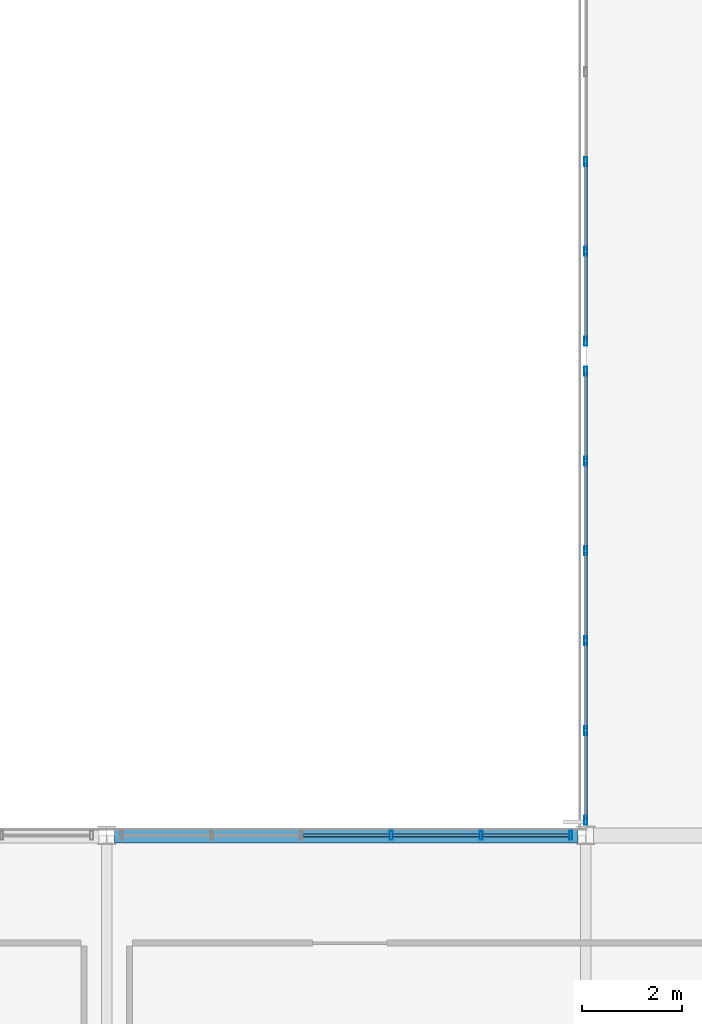
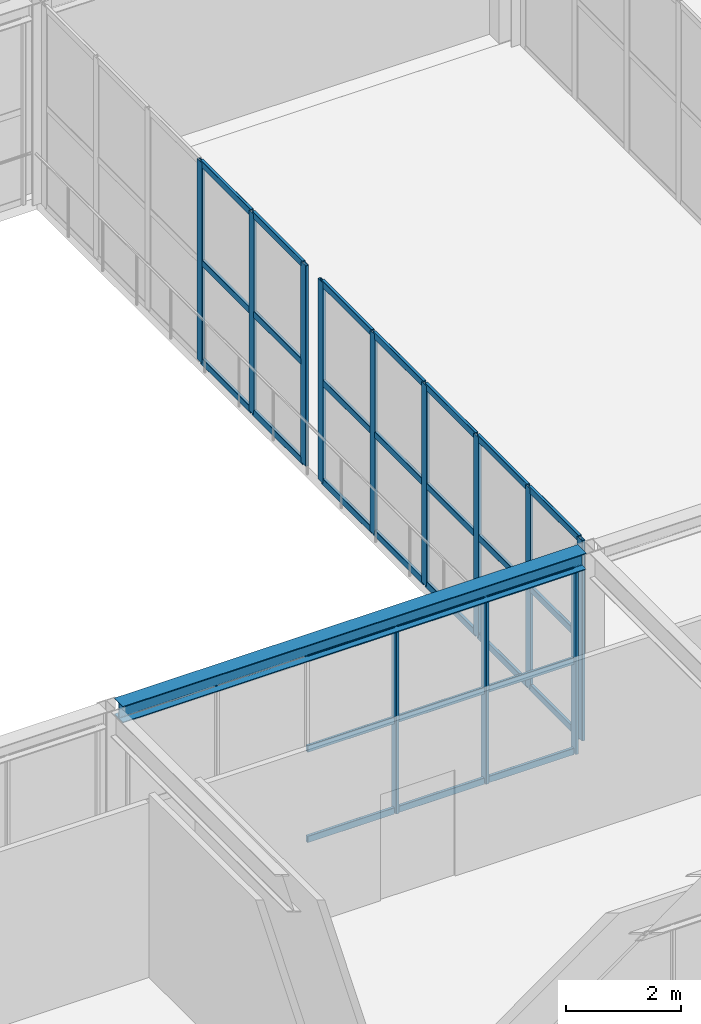
# One storey, part 79 of 170: 42 members, 1 beam, 3 elements without a shape of their own.
"""IFC4 building model written with IfcOpenShell, lengths in metres."""

from ifc_helpers import new_model, si_unit, direction, frame, origin, origin_2d, place, context, subcontext, project, spatial, hollow_rectangle, i_section, extrude, material, material_profile, profile_set, type_object, element, aggregate, save


model = new_model("IFC4")

# Units and contexts
model_context = context("Model", 3, precision=1e-05, world=origin(), true_north=direction((0.0, 1.0)))
body_context = subcontext(model_context, "Body", "Model", "MODEL_VIEW")
ifc_project = project(units=[si_unit("LENGTHUNIT", "METRE"), si_unit("AREAUNIT", "SQUARE_METRE"), si_unit("VOLUMEUNIT", "CUBIC_METRE"), si_unit("PLANEANGLEUNIT", "RADIAN"), si_unit("MASSUNIT", "GRAM", prefix="KILO")], contexts=[model_context])

# Site, building, storey
site_placement = place(None, origin())
site = spatial("IfcSite", under=ifc_project, at=site_placement, CompositionType="ELEMENT")
building_placement = place(site_placement, origin())
building = spatial("IfcBuilding", under=site, at=building_placement, Name="Coralgate Yard Interchange", CompositionType="ELEMENT")
storey_placement = place(building_placement, frame((0.0, 0.0, 6.0)))
storey = spatial("IfcBuildingStorey", under=building, at=storey_placement, Name="L01", CompositionType="ELEMENT", Elevation=6.0)

# Beam
ifc_material_1 = material(Name="Structural steel S355J2", Category="steel")
ifc_material_profile_1 = material_profile(ifc_material_1, i_section(OverallWidth=0.300048828125, OverallDepth=0.35009765625, WebThickness=0.010009765625, FlangeThickness=0.017578125, FilletRadius=0.027099609375, at=origin_2d()), Name="HEA 360")
ifc_profile_set_1 = profile_set([ifc_material_profile_1], Name="Structural steel S355J2")
beam_type = type_object("IfcBeamType", Name="BM-SP-1", PredefinedType="SPANDREL", material=ifc_profile_set_1)
beam_placement = place(storey_placement, frame((115.356201171875, 48.0, 4.074951171875), z_axis=(1.0, 0.0, 0.0), x_axis=(0.0, 1.0, 0.0)))
element("IfcBeam", 1, at=beam_placement, inside=storey, type_object=beam_type, Name="L01 primary grid beam Y5 X12-13", PredefinedType="SPANDREL", context=body_context, shape_type="SweptSolid", body=[
    extrude(i_section(OverallWidth=0.300048828125, OverallDepth=0.35009765625, WebThickness=0.010009765625, FlangeThickness=0.017578125, FilletRadius=0.027099609375, at=origin_2d()), origin(), (0.0, 0.0, 1.0), 9.28759765625),
])

# Curtain wall, members
ifc_material_2 = material(Name="Anodised coastal aluminium and solar-control low-E glass", Category="aluminium")
curtain_wall_type_1 = type_object("IfcCurtainWallType", Name="CW-CW-L01-B", PredefinedType="NOTDEFINED", material=ifc_material_2)
curtain_wall_1_placement = place(storey_placement, origin())
curtain_wall_1 = element("IfcCurtainWall", 2, at=curtain_wall_1_placement, inside=storey, type_object=curtain_wall_type_1, Name="L01 unitised curtain wall CW-L01-N-12-04", PredefinedType="NOTDEFINED")
ifc_material_3 = material(Name="Anodised coastal aluminium 6063-T6", Category="aluminium")
ifc_material_profile_2 = material_profile(ifc_material_3, hollow_rectangle(XDim=0.06005859375, YDim=0.179931640625, WallThickness=0.00390625, InnerFilletRadius=0.00390625, OuterFilletRadius=0.008056640625, at=origin_2d()), Name="ALU 60x180x4")
ifc_profile_set_2 = profile_set([ifc_material_profile_2], Name="Anodised coastal aluminium 6063-T6")
member_type_1 = type_object("IfcMemberType", Name="MB-MUL-180", PredefinedType="MULLION", material=ifc_profile_set_2)
member_1_placement = place(storey_placement, frame((120.89990234375, 48.0, 0.0), z_axis=(0.0, 0.0, 1.0), x_axis=(1.0, 0.0, 0.0)))
member_1 = element("IfcMember", 3, at=member_1_placement, type_object=member_type_1, Name="CW-L01-N-12-04 vertical mullion 4", PredefinedType="MULLION", context=body_context, shape_type="SweptSolid", body=[
    extrude(hollow_rectangle(XDim=0.06005859375, YDim=0.179931640625, WallThickness=0.00390625, InnerFilletRadius=0.00390625, OuterFilletRadius=0.008056640625, at=origin_2d()), origin(), (0.0, 0.0, 1.0), 3.89990234375),
])
member_2_placement = place(storey_placement, frame((122.699951171875, 48.0, 0.0), z_axis=(0.0, 0.0, 1.0), x_axis=(1.0, 0.0, 0.0)))
member_2 = element("IfcMember", 4, at=member_2_placement, type_object=member_type_1, Name="CW-L01-N-12-04 vertical mullion 5", PredefinedType="MULLION", context=body_context, shape_type="SweptSolid", body=[
    extrude(hollow_rectangle(XDim=0.06005859375, YDim=0.179931640625, WallThickness=0.00390625, InnerFilletRadius=0.00390625, OuterFilletRadius=0.008056640625, at=origin_2d()), origin(), (0.0, 0.0, 1.0), 3.89990234375),
])
member_3_placement = place(storey_placement, frame((124.5, 48.0, 0.0), z_axis=(0.0, 0.0, 1.0), x_axis=(1.0, 0.0, 0.0)))
member_3 = element("IfcMember", 5, at=member_3_placement, type_object=member_type_1, Name="CW-L01-N-12-04 vertical mullion 6", PredefinedType="MULLION", context=body_context, shape_type="SweptSolid", body=[
    extrude(hollow_rectangle(XDim=0.06005859375, YDim=0.179931640625, WallThickness=0.00390625, InnerFilletRadius=0.00390625, OuterFilletRadius=0.008056640625, at=origin_2d()), origin(), (0.0, 0.0, 1.0), 3.89990234375),
])

curtain_wall_type_2 = type_object("IfcCurtainWallType", Name="CW-CW-L01-A", PredefinedType="NOTDEFINED", material=ifc_material_2)
curtain_wall_2_placement = place(storey_placement, origin())
curtain_wall_2 = element("IfcCurtainWall", 6, at=curtain_wall_2_placement, inside=storey, type_object=curtain_wall_type_2, Name="L01 unitised curtain wall CW-L01-W-13-05", PredefinedType="NOTDEFINED")
member_4_placement = place(storey_placement, frame((124.800048828125, 48.300048828125, 0.0), z_axis=(0.0, 0.0, 1.0), x_axis=(1.0, 0.0, 0.0)))
member_4 = element("IfcMember", 7, at=member_4_placement, type_object=member_type_1, Name="CW-L01-W-13-05 vertical mullion 1", PredefinedType="MULLION", context=body_context, shape_type="SweptSolid", body=[
    extrude(hollow_rectangle(XDim=0.06005859375, YDim=0.179931640625, WallThickness=0.00390625, InnerFilletRadius=0.00390625, OuterFilletRadius=0.008056640625, at=origin_2d()), origin(), (0.0, 0.0, 1.0), 4.25),
])
member_5_placement = place(storey_placement, frame((124.800048828125, 50.10009765625, 0.0), z_axis=(0.0, 0.0, 1.0), x_axis=(1.0, 0.0, 0.0)))
member_5 = element("IfcMember", 8, at=member_5_placement, type_object=member_type_1, Name="CW-L01-W-13-05 vertical mullion 2", PredefinedType="MULLION", context=body_context, shape_type="SweptSolid", body=[
    extrude(hollow_rectangle(XDim=0.06005859375, YDim=0.179931640625, WallThickness=0.00390625, InnerFilletRadius=0.00390625, OuterFilletRadius=0.008056640625, at=origin_2d()), origin(), (0.0, 0.0, 1.0), 4.25),
])
member_6_placement = place(storey_placement, frame((124.800048828125, 51.89990234375, 0.0), z_axis=(0.0, 0.0, 1.0), x_axis=(1.0, 0.0, 0.0)))
member_6 = element("IfcMember", 9, at=member_6_placement, type_object=member_type_1, Name="CW-L01-W-13-05 vertical mullion 3", PredefinedType="MULLION", context=body_context, shape_type="SweptSolid", body=[
    extrude(hollow_rectangle(XDim=0.06005859375, YDim=0.179931640625, WallThickness=0.00390625, InnerFilletRadius=0.00390625, OuterFilletRadius=0.008056640625, at=origin_2d()), origin(), (0.0, 0.0, 1.0), 4.25),
])
member_7_placement = place(storey_placement, frame((124.800048828125, 53.699951171875, 0.0), z_axis=(0.0, 0.0, 1.0), x_axis=(1.0, 0.0, 0.0)))
member_7 = element("IfcMember", 10, at=member_7_placement, type_object=member_type_1, Name="CW-L01-W-13-05 vertical mullion 4", PredefinedType="MULLION", context=body_context, shape_type="SweptSolid", body=[
    extrude(hollow_rectangle(XDim=0.06005859375, YDim=0.179931640625, WallThickness=0.00390625, InnerFilletRadius=0.00390625, OuterFilletRadius=0.008056640625, at=origin_2d()), origin(), (0.0, 0.0, 1.0), 4.25),
])
member_8_placement = place(storey_placement, frame((124.800048828125, 55.5, 0.0), z_axis=(0.0, 0.0, 1.0), x_axis=(1.0, 0.0, 0.0)))
member_8 = element("IfcMember", 11, at=member_8_placement, type_object=member_type_1, Name="CW-L01-W-13-05 vertical mullion 5", PredefinedType="MULLION", context=body_context, shape_type="SweptSolid", body=[
    extrude(hollow_rectangle(XDim=0.06005859375, YDim=0.179931640625, WallThickness=0.00390625, InnerFilletRadius=0.00390625, OuterFilletRadius=0.008056640625, at=origin_2d()), origin(), (0.0, 0.0, 1.0), 4.25),
])
member_9_placement = place(storey_placement, frame((124.800048828125, 57.300048828125, 0.0), z_axis=(0.0, 0.0, 1.0), x_axis=(1.0, 0.0, 0.0)))
member_9 = element("IfcMember", 12, at=member_9_placement, type_object=member_type_1, Name="CW-L01-W-13-05 vertical mullion 6", PredefinedType="MULLION", context=body_context, shape_type="SweptSolid", body=[
    extrude(hollow_rectangle(XDim=0.06005859375, YDim=0.179931640625, WallThickness=0.00390625, InnerFilletRadius=0.00390625, OuterFilletRadius=0.008056640625, at=origin_2d()), origin(), (0.0, 0.0, 1.0), 4.25),
])

curtain_wall_3_placement = place(storey_placement, origin())
curtain_wall_3 = element("IfcCurtainWall", 13, at=curtain_wall_3_placement, inside=storey, type_object=curtain_wall_type_2, Name="L01 unitised curtain wall CW-L01-W-13-06", PredefinedType="NOTDEFINED")
member_10_placement = place(storey_placement, frame((124.800048828125, 57.89990234375, 0.0), z_axis=(0.0, 0.0, 1.0), x_axis=(1.0, 0.0, 0.0)))
member_10 = element("IfcMember", 14, at=member_10_placement, type_object=member_type_1, Name="CW-L01-W-13-06 vertical mullion 1", PredefinedType="MULLION", context=body_context, shape_type="SweptSolid", body=[
    extrude(hollow_rectangle(XDim=0.06005859375, YDim=0.179931640625, WallThickness=0.00390625, InnerFilletRadius=0.00390625, OuterFilletRadius=0.008056640625, at=origin_2d()), origin(), (0.0, 0.0, 1.0), 4.25),
])
member_11_placement = place(storey_placement, frame((124.800048828125, 59.699951171875, 0.0), z_axis=(0.0, 0.0, 1.0), x_axis=(1.0, 0.0, 0.0)))
member_11 = element("IfcMember", 15, at=member_11_placement, type_object=member_type_1, Name="CW-L01-W-13-06 vertical mullion 2", PredefinedType="MULLION", context=body_context, shape_type="SweptSolid", body=[
    extrude(hollow_rectangle(XDim=0.06005859375, YDim=0.179931640625, WallThickness=0.00390625, InnerFilletRadius=0.00390625, OuterFilletRadius=0.008056640625, at=origin_2d()), origin(), (0.0, 0.0, 1.0), 4.25),
])
member_12_placement = place(storey_placement, frame((124.800048828125, 61.5, 0.0), z_axis=(0.0, 0.0, 1.0), x_axis=(1.0, 0.0, 0.0)))
member_12 = element("IfcMember", 16, at=member_12_placement, type_object=member_type_1, Name="CW-L01-W-13-06 vertical mullion 3", PredefinedType="MULLION", context=body_context, shape_type="SweptSolid", body=[
    extrude(hollow_rectangle(XDim=0.06005859375, YDim=0.179931640625, WallThickness=0.00390625, InnerFilletRadius=0.00390625, OuterFilletRadius=0.008056640625, at=origin_2d()), origin(), (0.0, 0.0, 1.0), 4.25),
])

# Member
ifc_material_profile_3 = material_profile(ifc_material_3, hollow_rectangle(XDim=0.06005859375, YDim=0.139892578125, WallThickness=0.00341796875, InnerFilletRadius=0.00341796875, OuterFilletRadius=0.007080078125, at=origin_2d()), Name="ALU 60x140x3.5")
ifc_profile_set_3 = profile_set([ifc_material_profile_3], Name="Anodised coastal aluminium 6063-T6")
member_type_2 = type_object("IfcMemberType", Name="MB-TRN-140", PredefinedType="USERDEFINED", material=ifc_profile_set_3)
member_13_placement = place(storey_placement, frame((119.1298828125, 48.0, 0.034912109375), z_axis=(1.0, 0.0, 0.0), x_axis=(0.0, 1.0, 0.0)))
member_13 = element("IfcMember", 17, at=member_13_placement, type_object=member_type_2, Name="CW-L01-N-12-04 horizontal transom 3-1", ObjectType="TRANSOM", PredefinedType="USERDEFINED", context=body_context, shape_type="SweptSolid", body=[
    extrude(hollow_rectangle(XDim=0.06005859375, YDim=0.139892578125, WallThickness=0.00341796875, InnerFilletRadius=0.00341796875, OuterFilletRadius=0.007080078125, at=origin_2d()), origin(), (0.0, 0.0, 1.0), 1.740234375),
])

member_14_placement = place(storey_placement, frame((119.1298828125, 48.0, 1.949951171875), z_axis=(1.0, 0.0, 0.0), x_axis=(0.0, 1.0, 0.0)))
member_14 = element("IfcMember", 18, at=member_14_placement, type_object=member_type_2, Name="CW-L01-N-12-04 horizontal transom 3-2", ObjectType="TRANSOM", PredefinedType="USERDEFINED", context=body_context, shape_type="SweptSolid", body=[
    extrude(hollow_rectangle(XDim=0.06005859375, YDim=0.139892578125, WallThickness=0.00341796875, InnerFilletRadius=0.00341796875, OuterFilletRadius=0.007080078125, at=origin_2d()), origin(), (0.0, 0.0, 1.0), 1.740234375),
])

member_15_placement = place(storey_placement, frame((119.1298828125, 48.0, 3.864990234375), z_axis=(1.0, 0.0, 0.0), x_axis=(0.0, 1.0, 0.0)))
member_15 = element("IfcMember", 19, at=member_15_placement, type_object=member_type_2, Name="CW-L01-N-12-04 horizontal transom 3-3", ObjectType="TRANSOM", PredefinedType="USERDEFINED", context=body_context, shape_type="SweptSolid", body=[
    extrude(hollow_rectangle(XDim=0.06005859375, YDim=0.139892578125, WallThickness=0.00341796875, InnerFilletRadius=0.00341796875, OuterFilletRadius=0.007080078125, at=origin_2d()), origin(), (0.0, 0.0, 1.0), 1.740234375),
])

member_16_placement = place(storey_placement, frame((120.929931640625, 48.0, 0.034912109375), z_axis=(1.0, 0.0, 0.0), x_axis=(0.0, 1.0, 0.0)))
member_16 = element("IfcMember", 20, at=member_16_placement, type_object=member_type_2, Name="CW-L01-N-12-04 horizontal transom 4-1", ObjectType="TRANSOM", PredefinedType="USERDEFINED", context=body_context, shape_type="SweptSolid", body=[
    extrude(hollow_rectangle(XDim=0.06005859375, YDim=0.139892578125, WallThickness=0.00341796875, InnerFilletRadius=0.00341796875, OuterFilletRadius=0.007080078125, at=origin_2d()), origin(), (0.0, 0.0, 1.0), 1.739990234375),
])

member_17_placement = place(storey_placement, frame((120.929931640625, 48.0, 1.949951171875), z_axis=(1.0, 0.0, 0.0), x_axis=(0.0, 1.0, 0.0)))
member_17 = element("IfcMember", 21, at=member_17_placement, type_object=member_type_2, Name="CW-L01-N-12-04 horizontal transom 4-2", ObjectType="TRANSOM", PredefinedType="USERDEFINED", context=body_context, shape_type="SweptSolid", body=[
    extrude(hollow_rectangle(XDim=0.06005859375, YDim=0.139892578125, WallThickness=0.00341796875, InnerFilletRadius=0.00341796875, OuterFilletRadius=0.007080078125, at=origin_2d()), origin(), (0.0, 0.0, 1.0), 1.739990234375),
])

member_18_placement = place(storey_placement, frame((120.929931640625, 48.0, 3.864990234375), z_axis=(1.0, 0.0, 0.0), x_axis=(0.0, 1.0, 0.0)))
member_18 = element("IfcMember", 22, at=member_18_placement, type_object=member_type_2, Name="CW-L01-N-12-04 horizontal transom 4-3", ObjectType="TRANSOM", PredefinedType="USERDEFINED", context=body_context, shape_type="SweptSolid", body=[
    extrude(hollow_rectangle(XDim=0.06005859375, YDim=0.139892578125, WallThickness=0.00341796875, InnerFilletRadius=0.00341796875, OuterFilletRadius=0.007080078125, at=origin_2d()), origin(), (0.0, 0.0, 1.0), 1.739990234375),
])

member_19_placement = place(storey_placement, frame((122.72998046875, 48.0, 0.034912109375), z_axis=(1.0, 0.0, 0.0), x_axis=(0.0, 1.0, 0.0)))
member_19 = element("IfcMember", 23, at=member_19_placement, type_object=member_type_2, Name="CW-L01-N-12-04 horizontal transom 5-1", ObjectType="TRANSOM", PredefinedType="USERDEFINED", context=body_context, shape_type="SweptSolid", body=[
    extrude(hollow_rectangle(XDim=0.06005859375, YDim=0.139892578125, WallThickness=0.00341796875, InnerFilletRadius=0.00341796875, OuterFilletRadius=0.007080078125, at=origin_2d()), origin(), (0.0, 0.0, 1.0), 1.739990234375),
])

member_20_placement = place(storey_placement, frame((122.72998046875, 48.0, 1.949951171875), z_axis=(1.0, 0.0, 0.0), x_axis=(0.0, 1.0, 0.0)))
member_20 = element("IfcMember", 24, at=member_20_placement, type_object=member_type_2, Name="CW-L01-N-12-04 horizontal transom 5-2", ObjectType="TRANSOM", PredefinedType="USERDEFINED", context=body_context, shape_type="SweptSolid", body=[
    extrude(hollow_rectangle(XDim=0.06005859375, YDim=0.139892578125, WallThickness=0.00341796875, InnerFilletRadius=0.00341796875, OuterFilletRadius=0.007080078125, at=origin_2d()), origin(), (0.0, 0.0, 1.0), 1.739990234375),
])

member_21_placement = place(storey_placement, frame((122.72998046875, 48.0, 3.864990234375), z_axis=(1.0, 0.0, 0.0), x_axis=(0.0, 1.0, 0.0)))
member_21 = element("IfcMember", 25, at=member_21_placement, type_object=member_type_2, Name="CW-L01-N-12-04 horizontal transom 5-3", ObjectType="TRANSOM", PredefinedType="USERDEFINED", context=body_context, shape_type="SweptSolid", body=[
    extrude(hollow_rectangle(XDim=0.06005859375, YDim=0.139892578125, WallThickness=0.00341796875, InnerFilletRadius=0.00341796875, OuterFilletRadius=0.007080078125, at=origin_2d()), origin(), (0.0, 0.0, 1.0), 1.739990234375),
])

aggregate(curtain_wall_1, [member_1, member_2, member_3, member_13, member_14, member_15, member_16, member_17, member_18, member_19, member_20, member_21])

member_22_placement = place(storey_placement, frame((124.800048828125, 48.330078125, 0.034912109375), z_axis=(0.0, 1.0, 0.0), x_axis=(-1.0, 0.0, 0.0)))
member_22 = element("IfcMember", 26, at=member_22_placement, type_object=member_type_2, Name="CW-L01-W-13-05 horizontal transom 1-1", ObjectType="TRANSOM", PredefinedType="USERDEFINED", context=body_context, shape_type="SweptSolid", body=[
    extrude(hollow_rectangle(XDim=0.06005859375, YDim=0.139892578125, WallThickness=0.00341796875, InnerFilletRadius=0.00341796875, OuterFilletRadius=0.007080078125, at=origin_2d()), origin(), (0.0, 0.0, 1.0), 1.739990234375),
])

member_23_placement = place(storey_placement, frame((124.800048828125, 48.330078125, 2.125), z_axis=(0.0, 1.0, 0.0), x_axis=(-1.0, 0.0, 0.0)))
member_23 = element("IfcMember", 27, at=member_23_placement, type_object=member_type_2, Name="CW-L01-W-13-05 horizontal transom 1-2", ObjectType="TRANSOM", PredefinedType="USERDEFINED", context=body_context, shape_type="SweptSolid", body=[
    extrude(hollow_rectangle(XDim=0.06005859375, YDim=0.139892578125, WallThickness=0.00341796875, InnerFilletRadius=0.00341796875, OuterFilletRadius=0.007080078125, at=origin_2d()), origin(), (0.0, 0.0, 1.0), 1.739990234375),
])

member_24_placement = place(storey_placement, frame((124.800048828125, 48.330078125, 4.215087890625), z_axis=(0.0, 1.0, 0.0), x_axis=(-1.0, 0.0, 0.0)))
member_24 = element("IfcMember", 28, at=member_24_placement, type_object=member_type_2, Name="CW-L01-W-13-05 horizontal transom 1-3", ObjectType="TRANSOM", PredefinedType="USERDEFINED", context=body_context, shape_type="SweptSolid", body=[
    extrude(hollow_rectangle(XDim=0.06005859375, YDim=0.139892578125, WallThickness=0.00341796875, InnerFilletRadius=0.00341796875, OuterFilletRadius=0.007080078125, at=origin_2d()), origin(), (0.0, 0.0, 1.0), 1.739990234375),
])

member_25_placement = place(storey_placement, frame((124.800048828125, 50.1298828125, 0.034912109375), z_axis=(0.0, 1.0, 0.0), x_axis=(-1.0, 0.0, 0.0)))
member_25 = element("IfcMember", 29, at=member_25_placement, type_object=member_type_2, Name="CW-L01-W-13-05 horizontal transom 2-1", ObjectType="TRANSOM", PredefinedType="USERDEFINED", context=body_context, shape_type="SweptSolid", body=[
    extrude(hollow_rectangle(XDim=0.06005859375, YDim=0.139892578125, WallThickness=0.00341796875, InnerFilletRadius=0.00341796875, OuterFilletRadius=0.007080078125, at=origin_2d()), origin(), (0.0, 0.0, 1.0), 1.740234375),
])

member_26_placement = place(storey_placement, frame((124.800048828125, 50.1298828125, 2.125), z_axis=(0.0, 1.0, 0.0), x_axis=(-1.0, 0.0, 0.0)))
member_26 = element("IfcMember", 30, at=member_26_placement, type_object=member_type_2, Name="CW-L01-W-13-05 horizontal transom 2-2", ObjectType="TRANSOM", PredefinedType="USERDEFINED", context=body_context, shape_type="SweptSolid", body=[
    extrude(hollow_rectangle(XDim=0.06005859375, YDim=0.139892578125, WallThickness=0.00341796875, InnerFilletRadius=0.00341796875, OuterFilletRadius=0.007080078125, at=origin_2d()), origin(), (0.0, 0.0, 1.0), 1.740234375),
])

member_27_placement = place(storey_placement, frame((124.800048828125, 50.1298828125, 4.215087890625), z_axis=(0.0, 1.0, 0.0), x_axis=(-1.0, 0.0, 0.0)))
member_27 = element("IfcMember", 31, at=member_27_placement, type_object=member_type_2, Name="CW-L01-W-13-05 horizontal transom 2-3", ObjectType="TRANSOM", PredefinedType="USERDEFINED", context=body_context, shape_type="SweptSolid", body=[
    extrude(hollow_rectangle(XDim=0.06005859375, YDim=0.139892578125, WallThickness=0.00341796875, InnerFilletRadius=0.00341796875, OuterFilletRadius=0.007080078125, at=origin_2d()), origin(), (0.0, 0.0, 1.0), 1.740234375),
])

member_28_placement = place(storey_placement, frame((124.800048828125, 51.929931640625, 0.034912109375), z_axis=(0.0, 1.0, 0.0), x_axis=(-1.0, 0.0, 0.0)))
member_28 = element("IfcMember", 32, at=member_28_placement, type_object=member_type_2, Name="CW-L01-W-13-05 horizontal transom 3-1", ObjectType="TRANSOM", PredefinedType="USERDEFINED", context=body_context, shape_type="SweptSolid", body=[
    extrude(hollow_rectangle(XDim=0.06005859375, YDim=0.139892578125, WallThickness=0.00341796875, InnerFilletRadius=0.00341796875, OuterFilletRadius=0.007080078125, at=origin_2d()), origin(), (0.0, 0.0, 1.0), 1.739990234375),
])

member_29_placement = place(storey_placement, frame((124.800048828125, 51.929931640625, 2.125), z_axis=(0.0, 1.0, 0.0), x_axis=(-1.0, 0.0, 0.0)))
member_29 = element("IfcMember", 33, at=member_29_placement, type_object=member_type_2, Name="CW-L01-W-13-05 horizontal transom 3-2", ObjectType="TRANSOM", PredefinedType="USERDEFINED", context=body_context, shape_type="SweptSolid", body=[
    extrude(hollow_rectangle(XDim=0.06005859375, YDim=0.139892578125, WallThickness=0.00341796875, InnerFilletRadius=0.00341796875, OuterFilletRadius=0.007080078125, at=origin_2d()), origin(), (0.0, 0.0, 1.0), 1.739990234375),
])

member_30_placement = place(storey_placement, frame((124.800048828125, 51.929931640625, 4.215087890625), z_axis=(0.0, 1.0, 0.0), x_axis=(-1.0, 0.0, 0.0)))
member_30 = element("IfcMember", 34, at=member_30_placement, type_object=member_type_2, Name="CW-L01-W-13-05 horizontal transom 3-3", ObjectType="TRANSOM", PredefinedType="USERDEFINED", context=body_context, shape_type="SweptSolid", body=[
    extrude(hollow_rectangle(XDim=0.06005859375, YDim=0.139892578125, WallThickness=0.00341796875, InnerFilletRadius=0.00341796875, OuterFilletRadius=0.007080078125, at=origin_2d()), origin(), (0.0, 0.0, 1.0), 1.739990234375),
])

member_31_placement = place(storey_placement, frame((124.800048828125, 53.72998046875, 0.034912109375), z_axis=(0.0, 1.0, 0.0), x_axis=(-1.0, 0.0, 0.0)))
member_31 = element("IfcMember", 35, at=member_31_placement, type_object=member_type_2, Name="CW-L01-W-13-05 horizontal transom 4-1", ObjectType="TRANSOM", PredefinedType="USERDEFINED", context=body_context, shape_type="SweptSolid", body=[
    extrude(hollow_rectangle(XDim=0.06005859375, YDim=0.139892578125, WallThickness=0.00341796875, InnerFilletRadius=0.00341796875, OuterFilletRadius=0.007080078125, at=origin_2d()), origin(), (0.0, 0.0, 1.0), 1.739990234375),
])

member_32_placement = place(storey_placement, frame((124.800048828125, 53.72998046875, 2.125), z_axis=(0.0, 1.0, 0.0), x_axis=(-1.0, 0.0, 0.0)))
member_32 = element("IfcMember", 36, at=member_32_placement, type_object=member_type_2, Name="CW-L01-W-13-05 horizontal transom 4-2", ObjectType="TRANSOM", PredefinedType="USERDEFINED", context=body_context, shape_type="SweptSolid", body=[
    extrude(hollow_rectangle(XDim=0.06005859375, YDim=0.139892578125, WallThickness=0.00341796875, InnerFilletRadius=0.00341796875, OuterFilletRadius=0.007080078125, at=origin_2d()), origin(), (0.0, 0.0, 1.0), 1.739990234375),
])

member_33_placement = place(storey_placement, frame((124.800048828125, 53.72998046875, 4.215087890625), z_axis=(0.0, 1.0, 0.0), x_axis=(-1.0, 0.0, 0.0)))
member_33 = element("IfcMember", 37, at=member_33_placement, type_object=member_type_2, Name="CW-L01-W-13-05 horizontal transom 4-3", ObjectType="TRANSOM", PredefinedType="USERDEFINED", context=body_context, shape_type="SweptSolid", body=[
    extrude(hollow_rectangle(XDim=0.06005859375, YDim=0.139892578125, WallThickness=0.00341796875, InnerFilletRadius=0.00341796875, OuterFilletRadius=0.007080078125, at=origin_2d()), origin(), (0.0, 0.0, 1.0), 1.739990234375),
])

member_34_placement = place(storey_placement, frame((124.800048828125, 55.530029296875, 0.034912109375), z_axis=(0.0, 1.0, 0.0), x_axis=(-1.0, 0.0, 0.0)))
member_34 = element("IfcMember", 38, at=member_34_placement, type_object=member_type_2, Name="CW-L01-W-13-05 horizontal transom 5-1", ObjectType="TRANSOM", PredefinedType="USERDEFINED", context=body_context, shape_type="SweptSolid", body=[
    extrude(hollow_rectangle(XDim=0.06005859375, YDim=0.139892578125, WallThickness=0.00341796875, InnerFilletRadius=0.00341796875, OuterFilletRadius=0.007080078125, at=origin_2d()), origin(), (0.0, 0.0, 1.0), 1.739990234375),
])

member_35_placement = place(storey_placement, frame((124.800048828125, 55.530029296875, 2.125), z_axis=(0.0, 1.0, 0.0), x_axis=(-1.0, 0.0, 0.0)))
member_35 = element("IfcMember", 39, at=member_35_placement, type_object=member_type_2, Name="CW-L01-W-13-05 horizontal transom 5-2", ObjectType="TRANSOM", PredefinedType="USERDEFINED", context=body_context, shape_type="SweptSolid", body=[
    extrude(hollow_rectangle(XDim=0.06005859375, YDim=0.139892578125, WallThickness=0.00341796875, InnerFilletRadius=0.00341796875, OuterFilletRadius=0.007080078125, at=origin_2d()), origin(), (0.0, 0.0, 1.0), 1.739990234375),
])

member_36_placement = place(storey_placement, frame((124.800048828125, 55.530029296875, 4.215087890625), z_axis=(0.0, 1.0, 0.0), x_axis=(-1.0, 0.0, 0.0)))
member_36 = element("IfcMember", 40, at=member_36_placement, type_object=member_type_2, Name="CW-L01-W-13-05 horizontal transom 5-3", ObjectType="TRANSOM", PredefinedType="USERDEFINED", context=body_context, shape_type="SweptSolid", body=[
    extrude(hollow_rectangle(XDim=0.06005859375, YDim=0.139892578125, WallThickness=0.00341796875, InnerFilletRadius=0.00341796875, OuterFilletRadius=0.007080078125, at=origin_2d()), origin(), (0.0, 0.0, 1.0), 1.739990234375),
])

aggregate(curtain_wall_2, [member_4, member_5, member_6, member_7, member_8, member_9, member_22, member_23, member_24, member_25, member_26, member_27, member_28, member_29, member_30, member_31, member_32, member_33, member_34, member_35, member_36])

member_37_placement = place(storey_placement, frame((124.800048828125, 57.929931640625, 0.034912109375), z_axis=(0.0, 1.0, 0.0), x_axis=(-1.0, 0.0, 0.0)))
member_37 = element("IfcMember", 41, at=member_37_placement, type_object=member_type_2, Name="CW-L01-W-13-06 horizontal transom 1-1", ObjectType="TRANSOM", PredefinedType="USERDEFINED", context=body_context, shape_type="SweptSolid", body=[
    extrude(hollow_rectangle(XDim=0.06005859375, YDim=0.139892578125, WallThickness=0.00341796875, InnerFilletRadius=0.00341796875, OuterFilletRadius=0.007080078125, at=origin_2d()), origin(), (0.0, 0.0, 1.0), 1.739990234375),
])

member_38_placement = place(storey_placement, frame((124.800048828125, 57.929931640625, 2.125), z_axis=(0.0, 1.0, 0.0), x_axis=(-1.0, 0.0, 0.0)))
member_38 = element("IfcMember", 42, at=member_38_placement, type_object=member_type_2, Name="CW-L01-W-13-06 horizontal transom 1-2", ObjectType="TRANSOM", PredefinedType="USERDEFINED", context=body_context, shape_type="SweptSolid", body=[
    extrude(hollow_rectangle(XDim=0.06005859375, YDim=0.139892578125, WallThickness=0.00341796875, InnerFilletRadius=0.00341796875, OuterFilletRadius=0.007080078125, at=origin_2d()), origin(), (0.0, 0.0, 1.0), 1.739990234375),
])

member_39_placement = place(storey_placement, frame((124.800048828125, 57.929931640625, 4.215087890625), z_axis=(0.0, 1.0, 0.0), x_axis=(-1.0, 0.0, 0.0)))
member_39 = element("IfcMember", 43, at=member_39_placement, type_object=member_type_2, Name="CW-L01-W-13-06 horizontal transom 1-3", ObjectType="TRANSOM", PredefinedType="USERDEFINED", context=body_context, shape_type="SweptSolid", body=[
    extrude(hollow_rectangle(XDim=0.06005859375, YDim=0.139892578125, WallThickness=0.00341796875, InnerFilletRadius=0.00341796875, OuterFilletRadius=0.007080078125, at=origin_2d()), origin(), (0.0, 0.0, 1.0), 1.739990234375),
])

member_40_placement = place(storey_placement, frame((124.800048828125, 59.72998046875, 0.034912109375), z_axis=(0.0, 1.0, 0.0), x_axis=(-1.0, 0.0, 0.0)))
member_40 = element("IfcMember", 44, at=member_40_placement, type_object=member_type_2, Name="CW-L01-W-13-06 horizontal transom 2-1", ObjectType="TRANSOM", PredefinedType="USERDEFINED", context=body_context, shape_type="SweptSolid", body=[
    extrude(hollow_rectangle(XDim=0.06005859375, YDim=0.139892578125, WallThickness=0.00341796875, InnerFilletRadius=0.00341796875, OuterFilletRadius=0.007080078125, at=origin_2d()), origin(), (0.0, 0.0, 1.0), 1.739990234375),
])

member_41_placement = place(storey_placement, frame((124.800048828125, 59.72998046875, 2.125), z_axis=(0.0, 1.0, 0.0), x_axis=(-1.0, 0.0, 0.0)))
member_41 = element("IfcMember", 45, at=member_41_placement, type_object=member_type_2, Name="CW-L01-W-13-06 horizontal transom 2-2", ObjectType="TRANSOM", PredefinedType="USERDEFINED", context=body_context, shape_type="SweptSolid", body=[
    extrude(hollow_rectangle(XDim=0.06005859375, YDim=0.139892578125, WallThickness=0.00341796875, InnerFilletRadius=0.00341796875, OuterFilletRadius=0.007080078125, at=origin_2d()), origin(), (0.0, 0.0, 1.0), 1.739990234375),
])

member_42_placement = place(storey_placement, frame((124.800048828125, 59.72998046875, 4.215087890625), z_axis=(0.0, 1.0, 0.0), x_axis=(-1.0, 0.0, 0.0)))
member_42 = element("IfcMember", 46, at=member_42_placement, type_object=member_type_2, Name="CW-L01-W-13-06 horizontal transom 2-3", ObjectType="TRANSOM", PredefinedType="USERDEFINED", context=body_context, shape_type="SweptSolid", body=[
    extrude(hollow_rectangle(XDim=0.06005859375, YDim=0.139892578125, WallThickness=0.00341796875, InnerFilletRadius=0.00341796875, OuterFilletRadius=0.007080078125, at=origin_2d()), origin(), (0.0, 0.0, 1.0), 1.739990234375),
])

aggregate(curtain_wall_3, [member_10, member_11, member_12, member_37, member_38, member_39, member_40, member_41, member_42])

save(model, "model.ifc")
